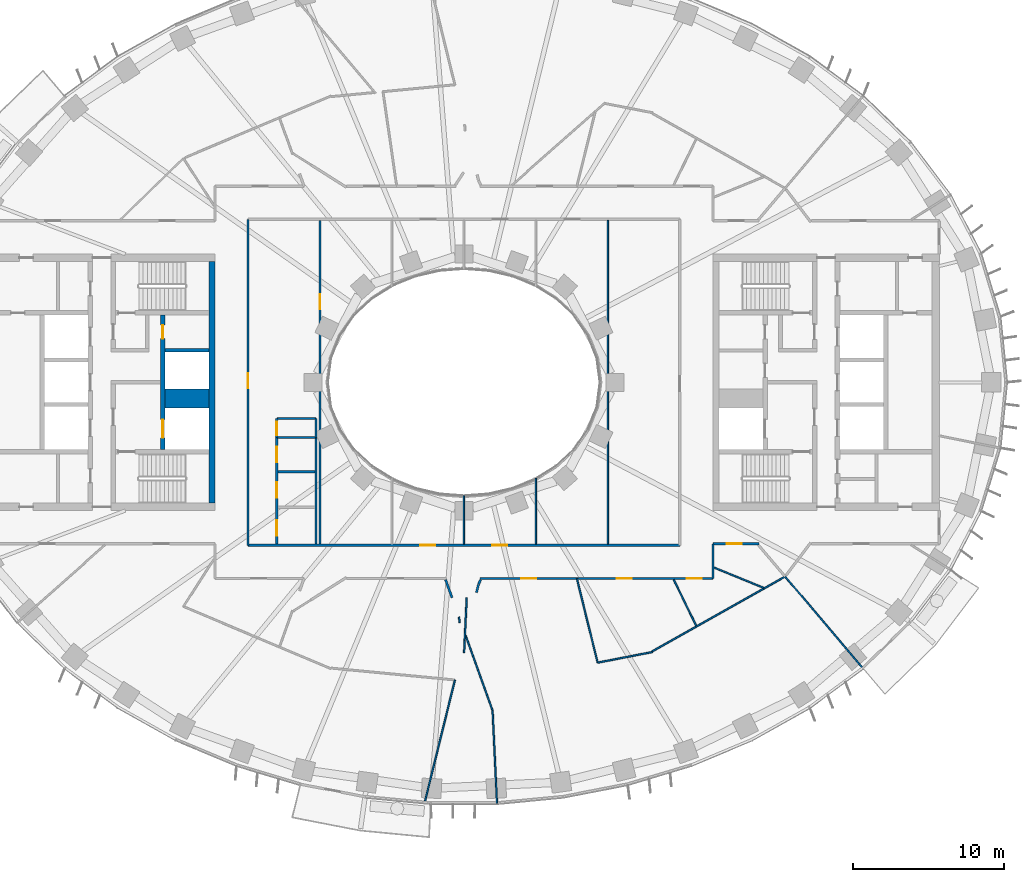
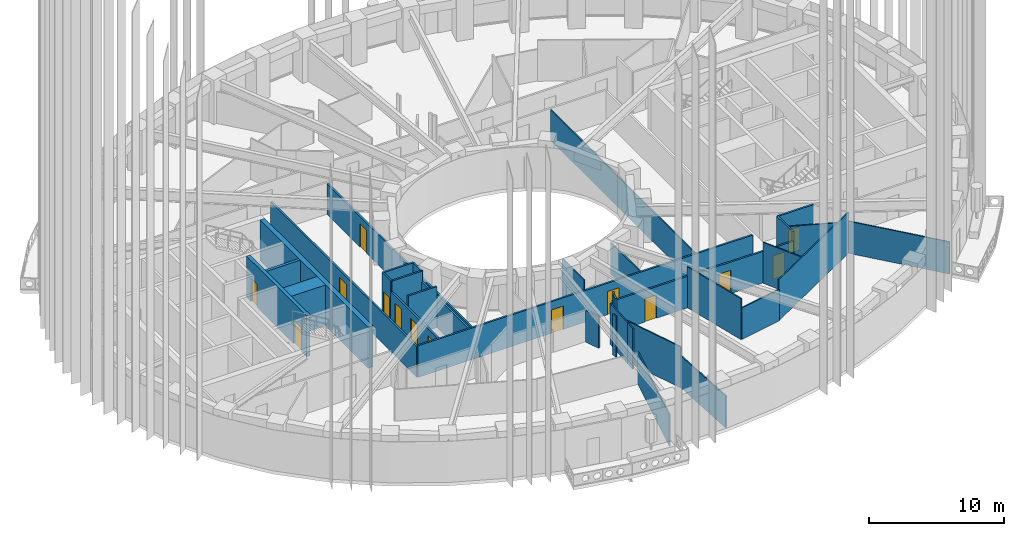
# One storey, part 4 of 20: 36 walls, 14 doors, 14 openings.
"""IFC4 building model written with IfcOpenShell, lengths in metres."""

from ifc_helpers import new_model, si_unit, direction, frame, frame_2d, origin, place, context, subcontext, project, spatial, rectangle, extrude, material, layer, layer_set, type_object, element, fill, save


model = new_model("IFC4")

# Units and contexts
model_context = context("Model", 3, precision=1e-05, world=origin(), true_north=direction((0.0, 1.0)))
body_context = subcontext(model_context, "Body", "Model", "MODEL_VIEW")
ifc_project = project(units=[si_unit("LENGTHUNIT", "METRE"), si_unit("AREAUNIT", "SQUARE_METRE"), si_unit("VOLUMEUNIT", "CUBIC_METRE"), si_unit("PLANEANGLEUNIT", "RADIAN"), si_unit("MASSUNIT", "GRAM", prefix="KILO")], contexts=[model_context])

# Site, building, storey
site_placement = place(None, origin())
site = spatial("IfcSite", under=ifc_project, at=site_placement, CompositionType="ELEMENT")
building_placement = place(site_placement, origin())
building = spatial("IfcBuilding", under=site, at=building_placement, Name="Noorbagh Ring Tower", CompositionType="ELEMENT")
storey_placement = place(building_placement, frame((0.0, 0.0, 88.0)))
storey = spatial("IfcBuildingStorey", under=building, at=storey_placement, Name="L19", CompositionType="ELEMENT", Elevation=88.0)

# Wall, opening, door
ifc_material_1 = material(Name="Gypsum board on steel studs", Category="steel")
ifc_layer_1 = layer(ifc_material_1, 0.14990234375)
ifc_layer_set_1 = layer_set([ifc_layer_1], Name="Gypsum board on steel studs")
wall_type_1 = type_object("IfcWallType", Name="COMPARTMENT PARTITION 150 EI 60", PredefinedType="PARTITIONING", material=ifc_layer_set_1)
wall_1_placement = place(storey_placement, frame((-12.39990234375, -3.659912109375, 0.0), z_axis=(0.0, 0.0, 1.0), x_axis=(0.0, 1.0, 0.0)))
wall_1 = element("IfcWall", 1, at=wall_1_placement, inside=storey, type_object=wall_type_1, Name="L19/wall/P22", PredefinedType="PARTITIONING", context=body_context, shape_type="SweptSolid", body=[
    extrude(rectangle(XDim=1.260009765625, YDim=0.14990234375, at=frame_2d((0.6298828125, 0.0))), origin(), (0.0, 0.0, 1.0), 3.699951171875),
])
opening_1_placement = place(wall_1_placement, frame((0.14990234375, 0.0, 0.0)))
opening_1 = element("IfcOpeningElement", 2, at=opening_1_placement, cuts=wall_1, Name="Opening D4", PredefinedType="OPENING", context=body_context, shape_type="SweptSolid", body=[
    extrude(rectangle(XDim=0.89990234375, YDim=2.10009765625, at=frame_2d((0.449951171875, 1.050048828125))), frame((0.0, 0.0849609375, 0.0), z_axis=(0.0, -1.0, 0.0), x_axis=(1.0, 0.0, 0.0)), (0.0, 0.0, 1.0), 0.169921875),
])
ifc_material_2 = material(Name="Timber, painted", Category="wood")
door_type_1 = type_object("IfcDoorType", Name="DOOR 900 X 2100 FD60", OperationType="SINGLE_SWING_LEFT", PredefinedType="DOOR", material=ifc_material_2)
door_1_placement = place(opening_1_placement, origin())
door_1 = element("IfcDoor", 3, at=door_1_placement, inside=storey, type_object=door_type_1, Name="L19-D05", OperationType="SINGLE_SWING_LEFT", OverallHeight=2.10009765625, OverallWidth=0.89990234375, PredefinedType="DOOR", context=body_context, shape_type="SweptSolid", body=[
    extrude(rectangle(XDim=0.89990234375, YDim=2.10009765625, at=frame_2d((0.449951171875, 1.050048828125))), frame((0.0, 0.02490234375, 0.0), z_axis=(0.0, -1.0, 0.0), x_axis=(1.0, 0.0, 0.0)), (0.0, 0.0, 1.0), 0.050048828125),
])
fill(opening_1, door_1)

# Walls
wall_2_placement = place(storey_placement, frame((-12.39990234375, -3.659912109375, 0.0), z_axis=(0.0, 0.0, 1.0), x_axis=(1.0, 0.0, 0.0)))
element("IfcWall", 4, at=wall_2_placement, inside=storey, type_object=wall_type_1, Name="L19/wall/P23", PredefinedType="PARTITIONING", context=body_context, shape_type="SweptSolid", body=[
    extrude(rectangle(XDim=2.599853515625, YDim=0.14990234375, at=frame_2d((1.2998046875, 0.0))), origin(), (0.0, 0.0, 1.0), 3.699951171875),
])
wall_3_placement = place(storey_placement, frame((-12.39990234375, -2.39990234375, 0.0), z_axis=(0.0, 0.0, 1.0), x_axis=(1.0, 0.0, 0.0)))
element("IfcWall", 5, at=wall_3_placement, inside=storey, type_object=wall_type_1, Name="L19/wall/P24", PredefinedType="PARTITIONING", context=body_context, shape_type="SweptSolid", body=[
    extrude(rectangle(XDim=2.595947265625, YDim=0.14990234375, at=frame_2d((1.2978515625, 0.0))), origin(), (0.0, 0.0, 1.0), 3.699951171875),
])
wall_4_placement = place(storey_placement, frame((-9.800048828125, -3.659912109375, 0.0), z_axis=(0.0, 0.0, 1.0), x_axis=(0.0, 1.0, 0.0)))
element("IfcWall", 6, at=wall_4_placement, inside=storey, type_object=wall_type_1, Name="L19/wall/P35", PredefinedType="PARTITIONING", context=body_context, shape_type="SweptSolid", body=[
    extrude(rectangle(XDim=1.255859375, YDim=0.14990234375, at=frame_2d((0.6279296875, 0.0))), origin(), (0.0, 0.0, 1.0), 3.699951171875),
])
ifc_material_3 = material(Name="Concrete C70/85", Category="concrete")
ifc_layer_2 = layer(ifc_material_3, 1.25)
ifc_layer_set_2 = layer_set([ifc_layer_2], Name="Concrete C70/85")
wall_type_2 = type_object("IfcWallType", Name="CORE-WALL-1250-C70-85-EI120", PredefinedType="SHEAR", material=ifc_layer_set_2)
wall_5_placement = place(storey_placement, frame((-16.89990234375, -1.074951171875, 0.0), z_axis=(0.0, 0.0, 1.0), x_axis=(-1.0, 0.0, 0.0)))
element("IfcWall", 7, at=wall_5_placement, inside=storey, type_object=wall_type_2, Name="Core wall W", PredefinedType="SHEAR", context=body_context, shape_type="SweptSolid", body=[
    extrude(rectangle(XDim=2.900146484375, YDim=1.25, at=frame_2d((1.4501953125, 0.0))), origin(), (0.0, 0.0, 1.0), 3.699951171875),
])
ifc_material_4 = material(Name="Concrete C70/85", Category="concrete")
ifc_layer_3 = layer(ifc_material_4, 0.25)
ifc_layer_set_3 = layer_set([ifc_layer_3], Name="Concrete C70/85")
wall_type_3 = type_object("IfcWallType", Name="CORE-WALL-250-C70-85-EI120", PredefinedType="SHEAR", material=ifc_layer_set_3)
wall_6_placement = place(storey_placement, frame((-16.89990234375, 2.125, 0.0), z_axis=(0.0, 0.0, 1.0), x_axis=(-1.0, 0.0, 0.0)))
element("IfcWall", 8, at=wall_6_placement, inside=storey, type_object=wall_type_3, Name="Core wall W", PredefinedType="SHEAR", context=body_context, shape_type="SweptSolid", body=[
    extrude(rectangle(XDim=2.900146484375, YDim=0.25, at=frame_2d((1.4501953125, 0.0))), origin(), (0.0, 0.0, 1.0), 3.699951171875),
])

# Wall, openings, doors
ifc_material_5 = material(Name="Concrete C70/85", Category="concrete")
ifc_layer_4 = layer(ifc_material_5, 0.300048828125)
ifc_layer_set_4 = layer_set([ifc_layer_4], Name="Concrete C70/85")
wall_type_4 = type_object("IfcWallType", Name="CORE-WALL-300-C70-85-EI120", PredefinedType="SHEAR", material=ifc_layer_set_4)
wall_7_placement = place(storey_placement, frame((-19.949951171875, -4.449951171875, 0.0), z_axis=(0.0, 0.0, 1.0), x_axis=(0.0, 1.0, 0.0)))
wall_7 = element("IfcWall", 9, at=wall_7_placement, inside=storey, type_object=wall_type_4, Name="Core wall W", PredefinedType="SHEAR", context=body_context, shape_type="SweptSolid", body=[
    extrude(rectangle(XDim=8.89990234375, YDim=0.300048828125, at=frame_2d((4.449951171875, 0.0))), origin(), (0.0, 0.0, 1.0), 3.699951171875),
])
opening_2_placement = place(wall_7_placement, frame((0.77490234375, 0.0, 0.0)))
opening_2 = element("IfcOpeningElement", 10, at=opening_2_placement, cuts=wall_7, Name="Opening L19-CW01", PredefinedType="OPENING", context=body_context, shape_type="SweptSolid", body=[
    extrude(rectangle(XDim=1.199951171875, YDim=2.10009765625, at=frame_2d((0.60009765625, 1.050048828125))), frame((0.0, 0.16015625, 0.0), z_axis=(0.0, -1.0, 0.0), x_axis=(1.0, 0.0, 0.0)), (0.0, 0.0, 1.0), 0.320068359375),
])
opening_3_placement = place(wall_7_placement, frame((7.35009765625, 0.0, 0.0)))
opening_3 = element("IfcOpeningElement", 11, at=opening_3_placement, cuts=wall_7, Name="Opening L19-CW11", PredefinedType="OPENING", context=body_context, shape_type="SweptSolid", body=[
    extrude(rectangle(XDim=0.89990234375, YDim=2.10009765625, at=frame_2d((0.449951171875, 1.050048828125))), frame((0.0, 0.16015625, 0.0), z_axis=(0.0, -1.0, 0.0), x_axis=(1.0, 0.0, 0.0)), (0.0, 0.0, 1.0), 0.320068359375),
])
ifc_material_6 = material(Name="Steel door leaf", Category="steel")
door_type_2 = type_object("IfcDoorType", Name="CORE-DOOR-DROOM", OperationType="SINGLE_SWING_LEFT", PredefinedType="DOOR", material=ifc_material_6)
door_2_placement = place(opening_3_placement, origin())
door_2 = element("IfcDoor", 12, at=door_2_placement, inside=storey, type_object=door_type_2, Name="Core room door L19-CW11", OperationType="SINGLE_SWING_LEFT", OverallHeight=2.10009765625, OverallWidth=0.89990234375, PredefinedType="DOOR", context=body_context, shape_type="SweptSolid", body=[
    extrude(rectangle(XDim=0.89990234375, YDim=2.10009765625, at=frame_2d((0.449951171875, 1.050048828125))), frame((0.0, 0.02490234375, 0.0), z_axis=(0.0, -1.0, 0.0), x_axis=(1.0, 0.0, 0.0)), (0.0, 0.0, 1.0), 0.050048828125),
])
fill(opening_3, door_2)
ifc_material_7 = material(Name="Steel door leaf", Category="steel")
door_type_3 = type_object("IfcDoorType", Name="CORE-DOOR-LDW", OperationType="DOUBLE_DOOR_SLIDING", PredefinedType="DOOR", material=ifc_material_7)
door_3_placement = place(opening_2_placement, origin())
door_3 = element("IfcDoor", 13, at=door_3_placement, inside=storey, type_object=door_type_3, Name="Landing door FF1 L19-CW01", OperationType="DOUBLE_DOOR_SLIDING", OverallHeight=2.10009765625, OverallWidth=1.199951171875, PredefinedType="DOOR", context=body_context, shape_type="SweptSolid", body=[
    extrude(rectangle(XDim=1.199951171875, YDim=2.10009765625, at=frame_2d((0.60009765625, 1.050048828125))), frame((0.0, 0.02490234375, 0.0), z_axis=(0.0, -1.0, 0.0), x_axis=(1.0, 0.0, 0.0)), (0.0, 0.0, 1.0), 0.050048828125),
])
fill(opening_2, door_3)

# Wall
ifc_material_8 = material(Name="Concrete C70/85", Category="concrete")
ifc_layer_5 = layer(ifc_material_8, 0.39990234375)
ifc_layer_set_5 = layer_set([ifc_layer_5], Name="Concrete C70/85")
wall_type_5 = type_object("IfcWallType", Name="CORE-WALL-400-C70-85-EI240", PredefinedType="SHEAR", material=ifc_layer_set_5)
wall_8_placement = place(storey_placement, frame((-16.699951171875, -8.0, 0.0), z_axis=(0.0, 0.0, 1.0), x_axis=(0.0, 1.0, 0.0)))
element("IfcWall", 14, at=wall_8_placement, inside=storey, type_object=wall_type_5, Name="Core wall W", PredefinedType="SHEAR", context=body_context, shape_type="SweptSolid", body=[
    extrude(rectangle(XDim=16.0, YDim=0.39990234375, at=frame_2d((8.0, 0.0))), origin(), (0.0, 0.0, 1.0), 3.699951171875),
])

# Wall, opening, door
ifc_material_9 = material(Name="Gypsum board on steel studs", Category="steel")
ifc_layer_6 = layer(ifc_material_9, 0.14990234375)
ifc_layer_set_6 = layer_set([ifc_layer_6], Name="Gypsum board on steel studs")
wall_type_6 = type_object("IfcWallType", Name="CORRIDOR PARTITION 150 EI 30", PredefinedType="PARTITIONING", material=ifc_layer_set_6)
wall_9_placement = place(storey_placement, frame((-14.300048828125, -10.800048828125, 0.0), z_axis=(0.0, 0.0, 1.0), x_axis=(0.0, 1.0, 0.0)))
wall_9 = element("IfcWall", 15, at=wall_9_placement, inside=storey, type_object=wall_type_6, Name="L19/wall/P16", PredefinedType="PARTITIONING", context=body_context, shape_type="SweptSolid", body=[
    extrude(rectangle(XDim=21.60009765625, YDim=0.14990234375, at=frame_2d((10.800048828125, 0.0))), origin(), (0.0, 0.0, 1.0), 2.75),
])
opening_4_placement = place(wall_9_placement, frame((10.39990234375, 0.0, 0.0)))
opening_4 = element("IfcOpeningElement", 16, at=opening_4_placement, cuts=wall_9, Name="Opening D1", PredefinedType="OPENING", context=body_context, shape_type="SweptSolid", body=[
    extrude(rectangle(XDim=1.0, YDim=2.10009765625, at=frame_2d((0.5, 1.050048828125))), frame((0.0, 0.0849609375, 0.0), z_axis=(0.0, -1.0, 0.0), x_axis=(1.0, 0.0, 0.0)), (0.0, 0.0, 1.0), 0.169921875),
])
ifc_material_10 = material(Name="Timber, painted", Category="wood")
door_type_4 = type_object("IfcDoorType", Name="DOOR 1000 X 2100 FD30", OperationType="SINGLE_SWING_LEFT", PredefinedType="DOOR", material=ifc_material_10)
door_4_placement = place(opening_4_placement, origin())
door_4 = element("IfcDoor", 17, at=door_4_placement, inside=storey, type_object=door_type_4, Name="L19-D01", OperationType="SINGLE_SWING_LEFT", OverallHeight=2.10009765625, OverallWidth=1.0, PredefinedType="DOOR", context=body_context, shape_type="SweptSolid", body=[
    extrude(rectangle(XDim=1.0, YDim=2.10009765625, at=frame_2d((0.5, 1.050048828125))), frame((0.0, 0.02490234375, 0.0), z_axis=(0.0, -1.0, 0.0), x_axis=(1.0, 0.0, 0.0)), (0.0, 0.0, 1.0), 0.050048828125),
])
fill(opening_4, door_4)

# Wall, openings, doors
wall_10_placement = place(storey_placement, frame((-14.300048828125, -10.800048828125, 0.0), z_axis=(0.0, 0.0, 1.0), x_axis=(1.0, 0.0, 0.0)))
wall_10 = element("IfcWall", 18, at=wall_10_placement, inside=storey, type_object=wall_type_6, Name="L19/wall/P17", PredefinedType="PARTITIONING", context=body_context, shape_type="SweptSolid", body=[
    extrude(rectangle(XDim=28.60009765625, YDim=0.14990234375, at=frame_2d((14.300048828125, 0.0))), origin(), (0.0, 0.0, 1.0), 2.85009765625),
])
opening_5_placement = place(wall_10_placement, frame((11.39990234375, 0.0, 0.0)))
opening_5 = element("IfcOpeningElement", 19, at=opening_5_placement, cuts=wall_10, Name="Opening D1", PredefinedType="OPENING", context=body_context, shape_type="SweptSolid", body=[
    extrude(rectangle(XDim=1.0, YDim=2.10009765625, at=frame_2d((0.5, 1.050048828125))), frame((0.0, 0.0849609375, 0.0), z_axis=(0.0, -1.0, 0.0), x_axis=(1.0, 0.0, 0.0)), (0.0, 0.0, 1.0), 0.169921875),
])
opening_6_placement = place(wall_10_placement, frame((16.1669921875, 0.0, 0.0)))
opening_6 = element("IfcOpeningElement", 20, at=opening_6_placement, cuts=wall_10, Name="Opening D1", PredefinedType="OPENING", context=body_context, shape_type="SweptSolid", body=[
    extrude(rectangle(XDim=1.0, YDim=2.10009765625, at=frame_2d((0.5, 1.050048828125))), frame((0.0, 0.0849609375, 0.0), z_axis=(0.0, -1.0, 0.0), x_axis=(1.0, 0.0, 0.0)), (0.0, 0.0, 1.0), 0.169921875),
])
door_5_placement = place(opening_5_placement, origin())
door_5 = element("IfcDoor", 21, at=door_5_placement, inside=storey, type_object=door_type_4, Name="L19-D28", OperationType="SINGLE_SWING_RIGHT", OverallHeight=2.10009765625, OverallWidth=1.0, PredefinedType="DOOR", context=body_context, shape_type="SweptSolid", body=[
    extrude(rectangle(XDim=1.0, YDim=2.10009765625, at=frame_2d((0.5, 1.050048828125))), frame((0.0, 0.02490234375, 0.0), z_axis=(0.0, -1.0, 0.0), x_axis=(1.0, 0.0, 0.0)), (0.0, 0.0, 1.0), 0.050048828125),
])
fill(opening_5, door_5)
door_6_placement = place(opening_6_placement, origin())
door_6 = element("IfcDoor", 22, at=door_6_placement, inside=storey, type_object=door_type_4, Name="L19-D30", OperationType="SINGLE_SWING_RIGHT", OverallHeight=2.10009765625, OverallWidth=1.0, PredefinedType="DOOR", context=body_context, shape_type="SweptSolid", body=[
    extrude(rectangle(XDim=1.0, YDim=2.10009765625, at=frame_2d((0.5, 1.050048828125))), frame((0.0, 0.02490234375, 0.0), z_axis=(0.0, -1.0, 0.0), x_axis=(1.0, 0.0, 0.0)), (0.0, 0.0, 1.0), 0.050048828125),
])
fill(opening_6, door_6)

wall_11_placement = place(storey_placement, frame((-12.39990234375, -10.72509765625, 0.0), z_axis=(0.0, 0.0, 1.0), x_axis=(0.0, 1.0, 0.0)))
wall_11 = element("IfcWall", 23, at=wall_11_placement, inside=storey, type_object=wall_type_6, Name="L19/wall/P19", PredefinedType="PARTITIONING", context=body_context, shape_type="SweptSolid", body=[
    extrude(rectangle(XDim=7.065185546875, YDim=0.14990234375, at=frame_2d((3.53271484375, 0.0))), origin(), (0.0, 0.0, 1.0), 2.75),
])
opening_7_placement = place(wall_11_placement, frame((0.574951171875, 0.0, 0.0)))
opening_7 = element("IfcOpeningElement", 24, at=opening_7_placement, cuts=wall_11, Name="Opening D3", PredefinedType="OPENING", context=body_context, shape_type="SweptSolid", body=[
    extrude(rectangle(XDim=1.0, YDim=2.10009765625, at=frame_2d((0.5, 1.050048828125))), frame((0.0, 0.0849609375, 0.0), z_axis=(0.0, -1.0, 0.0), x_axis=(1.0, 0.0, 0.0)), (0.0, 0.0, 1.0), 0.169921875),
])
opening_8_placement = place(wall_11_placement, frame((3.094970703125, 0.0, 0.0)))
opening_8 = element("IfcOpeningElement", 25, at=opening_8_placement, cuts=wall_11, Name="Opening D3", PredefinedType="OPENING", context=body_context, shape_type="SweptSolid", body=[
    extrude(rectangle(XDim=1.0, YDim=2.10009765625, at=frame_2d((0.5, 1.050048828125))), frame((0.0, 0.0849609375, 0.0), z_axis=(0.0, -1.0, 0.0), x_axis=(1.0, 0.0, 0.0)), (0.0, 0.0, 1.0), 0.169921875),
])
opening_9_placement = place(wall_11_placement, frame((5.447021484375, 0.0, 0.0)))
opening_9 = element("IfcOpeningElement", 26, at=opening_9_placement, cuts=wall_11, Name="Opening D3", PredefinedType="OPENING", context=body_context, shape_type="SweptSolid", body=[
    extrude(rectangle(XDim=1.0, YDim=2.10009765625, at=frame_2d((0.5, 1.050048828125))), frame((0.0, 0.0849609375, 0.0), z_axis=(0.0, -1.0, 0.0), x_axis=(1.0, 0.0, 0.0)), (0.0, 0.0, 1.0), 0.169921875),
])
ifc_material_11 = material(Name="Timber, painted", Category="wood")
door_type_5 = type_object("IfcDoorType", Name="DOOR 1000 X 2100 WC", OperationType="SINGLE_SWING_LEFT", PredefinedType="DOOR", material=ifc_material_11)
door_7_placement = place(opening_7_placement, origin())
door_7 = element("IfcDoor", 27, at=door_7_placement, inside=storey, type_object=door_type_5, Name="L19-D02", OperationType="SINGLE_SWING_RIGHT", OverallHeight=2.10009765625, OverallWidth=1.0, PredefinedType="DOOR", context=body_context, shape_type="SweptSolid", body=[
    extrude(rectangle(XDim=1.0, YDim=2.10009765625, at=frame_2d((0.5, 1.050048828125))), frame((0.0, 0.02490234375, 0.0), z_axis=(0.0, -1.0, 0.0), x_axis=(1.0, 0.0, 0.0)), (0.0, 0.0, 1.0), 0.050048828125),
])
fill(opening_7, door_7)
door_8_placement = place(opening_8_placement, origin())
door_8 = element("IfcDoor", 28, at=door_8_placement, inside=storey, type_object=door_type_5, Name="L19-D03", OperationType="SINGLE_SWING_LEFT", OverallHeight=2.10009765625, OverallWidth=1.0, PredefinedType="DOOR", context=body_context, shape_type="SweptSolid", body=[
    extrude(rectangle(XDim=1.0, YDim=2.10009765625, at=frame_2d((0.5, 1.050048828125))), frame((0.0, 0.02490234375, 0.0), z_axis=(0.0, -1.0, 0.0), x_axis=(1.0, 0.0, 0.0)), (0.0, 0.0, 1.0), 0.050048828125),
])
fill(opening_8, door_8)
door_9_placement = place(opening_9_placement, origin())
door_9 = element("IfcDoor", 29, at=door_9_placement, inside=storey, type_object=door_type_5, Name="L19-D04", OperationType="SINGLE_SWING_RIGHT", OverallHeight=2.10009765625, OverallWidth=1.0, PredefinedType="DOOR", context=body_context, shape_type="SweptSolid", body=[
    extrude(rectangle(XDim=1.0, YDim=2.10009765625, at=frame_2d((0.5, 1.050048828125))), frame((0.0, 0.02490234375, 0.0), z_axis=(0.0, -1.0, 0.0), x_axis=(1.0, 0.0, 0.0)), (0.0, 0.0, 1.0), 0.050048828125),
])
fill(opening_9, door_9)

# Walls
wall_12_placement = place(storey_placement, frame((-12.324951171875, -5.927978515625, 0.0), z_axis=(0.0, 0.0, 1.0), x_axis=(1.0, 0.0, 0.0)))
element("IfcWall", 30, at=wall_12_placement, inside=storey, type_object=wall_type_6, Name="L19/wall/P21", PredefinedType="PARTITIONING", context=body_context, shape_type="SweptSolid", body=[
    extrude(rectangle(XDim=2.449951171875, YDim=0.14990234375, at=frame_2d((1.22509765625, 0.0))), origin(), (0.0, 0.0, 1.0), 3.699951171875),
])
wall_13_placement = place(storey_placement, frame((-9.800048828125, -10.72509765625, 0.0), z_axis=(0.0, 0.0, 1.0), x_axis=(0.0, 1.0, 0.0)))
element("IfcWall", 31, at=wall_13_placement, inside=storey, type_object=wall_type_6, Name="L19/wall/P34", PredefinedType="PARTITIONING", context=body_context, shape_type="SweptSolid", body=[
    extrude(rectangle(XDim=7.065185546875, YDim=0.14990234375, at=frame_2d((3.53271484375, 0.0))), origin(), (0.0, 0.0, 1.0), 2.75),
])

# Wall, opening, door
wall_14_placement = place(storey_placement, frame((-9.532958984375, -10.72509765625, 0.0), z_axis=(0.0, 0.0, 1.0), x_axis=(0.0, 1.0, 0.0)))
wall_14 = element("IfcWall", 32, at=wall_14_placement, inside=storey, type_object=wall_type_6, Name="L19/wall/P36", PredefinedType="PARTITIONING", context=body_context, shape_type="SweptSolid", body=[
    extrude(rectangle(XDim=21.4501953125, YDim=0.14990234375, at=frame_2d((10.72509765625, 0.0))), origin(), (0.0, 0.0, 1.0), 2.75),
])
opening_10_placement = place(wall_14_placement, frame((15.574951171875, 0.0, 0.0)))
opening_10 = element("IfcOpeningElement", 33, at=opening_10_placement, cuts=wall_14, Name="Opening D1", PredefinedType="OPENING", context=body_context, shape_type="SweptSolid", body=[
    extrude(rectangle(XDim=1.0, YDim=2.10009765625, at=frame_2d((0.5, 1.050048828125))), frame((0.0, 0.0849609375, 0.0), z_axis=(0.0, -1.0, 0.0), x_axis=(1.0, 0.0, 0.0)), (0.0, 0.0, 1.0), 0.169921875),
])
door_10_placement = place(opening_10_placement, origin())
door_10 = element("IfcDoor", 34, at=door_10_placement, inside=storey, type_object=door_type_4, Name="L19-D27", OperationType="SINGLE_SWING_RIGHT", OverallHeight=2.10009765625, OverallWidth=1.0, PredefinedType="DOOR", context=body_context, shape_type="SweptSolid", body=[
    extrude(rectangle(XDim=1.0, YDim=2.10009765625, at=frame_2d((0.5, 1.050048828125))), frame((0.0, 0.02490234375, 0.0), z_axis=(0.0, -1.0, 0.0), x_axis=(1.0, 0.0, 0.0)), (0.0, 0.0, 1.0), 0.050048828125),
])
fill(opening_10, door_10)

# Walls
wall_15_placement = place(storey_placement, frame((-1.217041015625, -13.0791015625, 0.0), z_axis=(0.0, 0.0, 1.0), x_axis=(0.338140136535, -0.941095769868, 0.0)))
element("IfcWall", 35, at=wall_15_placement, inside=storey, type_object=wall_type_6, Name="L19/wall/P48", PredefinedType="PARTITIONING", context=body_context, shape_type="SweptSolid", body=[
    extrude(rectangle(XDim=1.2685546875, YDim=0.14990234375, at=frame_2d((0.63427734375, 0.0))), origin(), (0.0, 0.0, 1.0), 2.85009765625),
])
wall_16_placement = place(storey_placement, frame((0.8310546875, -13.927001953125, 0.0), z_axis=(0.0, 0.0, 1.0), x_axis=(0.240473799965, 0.970655629732, 0.0)))
element("IfcWall", 36, at=wall_16_placement, inside=storey, type_object=wall_type_6, Name="L19/wall/P57", PredefinedType="PARTITIONING", context=body_context, shape_type="SweptSolid", body=[
    extrude(rectangle(XDim=0.557373046875, YDim=0.14990234375, at=frame_2d((0.27880859375, 0.0))), origin(), (0.0, 0.0, 1.0), 3.699951171875),
])
wall_17_placement = place(storey_placement, frame((0.968994140625, -13.368896484375, 0.0), z_axis=(0.0, 0.0, 1.0), x_axis=(0.440240923942, 0.897879685084, 0.0)))
element("IfcWall", 37, at=wall_17_placement, inside=storey, type_object=wall_type_6, Name="L19/wall/P59", PredefinedType="PARTITIONING", context=body_context, shape_type="SweptSolid", body=[
    extrude(rectangle(XDim=0.32275390625, YDim=0.14990234375, at=frame_2d((0.161376953125, 0.0))), origin(), (0.0, 0.0, 1.0), 3.699951171875),
])

# Wall, opening, door
wall_18_placement = place(storey_placement, frame((1.06103515625, -13.0, 0.0), z_axis=(0.0, 0.0, 1.0), x_axis=(1.0, 0.0, 0.0)))
wall_18 = element("IfcWall", 38, at=wall_18_placement, inside=storey, type_object=wall_type_6, Name="L19/wall/P61", PredefinedType="PARTITIONING", context=body_context, shape_type="SweptSolid", body=[
    extrude(rectangle(XDim=6.421875, YDim=0.14990234375, at=frame_2d((3.2109375, 0.0))), origin(), (0.0, 0.0, 1.0), 2.85009765625),
])
opening_11_placement = place(wall_18_placement, frame((2.72998046875, 0.0, 0.0)))
opening_11 = element("IfcOpeningElement", 39, at=opening_11_placement, cuts=wall_18, Name="Opening D1", PredefinedType="OPENING", context=body_context, shape_type="SweptSolid", body=[
    extrude(rectangle(XDim=1.0, YDim=2.10009765625, at=frame_2d((0.5, 1.050048828125))), frame((0.0, 0.0849609375, 0.0), z_axis=(0.0, -1.0, 0.0), x_axis=(1.0, 0.0, 0.0)), (0.0, 0.0, 1.0), 0.169921875),
])
door_11_placement = place(opening_11_placement, origin())
door_11 = element("IfcDoor", 40, at=door_11_placement, inside=storey, type_object=door_type_4, Name="L19-D15", OperationType="SINGLE_SWING_LEFT", OverallHeight=2.10009765625, OverallWidth=1.0, PredefinedType="DOOR", context=body_context, shape_type="SweptSolid", body=[
    extrude(rectangle(XDim=1.0, YDim=2.10009765625, at=frame_2d((0.5, 1.050048828125))), frame((0.0, 0.02490234375, 0.0), z_axis=(0.0, -1.0, 0.0), x_axis=(1.0, 0.0, 0.0)), (0.0, 0.0, 1.0), 0.050048828125),
])
fill(opening_11, door_11)

# Wall, openings, doors
wall_19_placement = place(storey_placement, frame((7.4990234375, -13.0, 0.0), z_axis=(0.0, 0.0, 1.0), x_axis=(1.0, 0.0, 0.0)))
wall_19 = element("IfcWall", 41, at=wall_19_placement, inside=storey, type_object=wall_type_6, Name="L19/wall/P69", PredefinedType="PARTITIONING", context=body_context, shape_type="SweptSolid", body=[
    extrude(rectangle(XDim=9.0009765625, YDim=0.14990234375, at=frame_2d((4.50048828125, 0.0))), origin(), (0.0, 0.0, 1.0), 2.85009765625),
])
opening_12_placement = place(wall_19_placement, frame((2.634033203125, 0.0, 0.0)))
opening_12 = element("IfcOpeningElement", 42, at=opening_12_placement, cuts=wall_19, Name="Opening D1", PredefinedType="OPENING", context=body_context, shape_type="SweptSolid", body=[
    extrude(rectangle(XDim=1.0, YDim=2.10009765625, at=frame_2d((0.5, 1.050048828125))), frame((0.0, 0.0849609375, 0.0), z_axis=(0.0, -1.0, 0.0), x_axis=(1.0, 0.0, 0.0)), (0.0, 0.0, 1.0), 0.169921875),
])
opening_13_placement = place(wall_19_placement, frame((7.262939453125, 0.0, 0.0)))
opening_13 = element("IfcOpeningElement", 43, at=opening_13_placement, cuts=wall_19, Name="Opening D1", PredefinedType="OPENING", context=body_context, shape_type="SweptSolid", body=[
    extrude(rectangle(XDim=1.0, YDim=2.10009765625, at=frame_2d((0.5, 1.050048828125))), frame((0.0, 0.0849609375, 0.0), z_axis=(0.0, -1.0, 0.0), x_axis=(1.0, 0.0, 0.0)), (0.0, 0.0, 1.0), 0.169921875),
])
door_12_placement = place(opening_12_placement, origin())
door_12 = element("IfcDoor", 44, at=door_12_placement, inside=storey, type_object=door_type_4, Name="L19-D17", OperationType="SINGLE_SWING_LEFT", OverallHeight=2.10009765625, OverallWidth=1.0, PredefinedType="DOOR", context=body_context, shape_type="SweptSolid", body=[
    extrude(rectangle(XDim=1.0, YDim=2.10009765625, at=frame_2d((0.5, 1.050048828125))), frame((0.0, 0.02490234375, 0.0), z_axis=(0.0, -1.0, 0.0), x_axis=(1.0, 0.0, 0.0)), (0.0, 0.0, 1.0), 0.050048828125),
])
fill(opening_12, door_12)
door_13_placement = place(opening_13_placement, origin())
door_13 = element("IfcDoor", 45, at=door_13_placement, inside=storey, type_object=door_type_4, Name="L19-D19", OperationType="SINGLE_SWING_LEFT", OverallHeight=2.10009765625, OverallWidth=1.0, PredefinedType="DOOR", context=body_context, shape_type="SweptSolid", body=[
    extrude(rectangle(XDim=1.0, YDim=2.10009765625, at=frame_2d((0.5, 1.050048828125))), frame((0.0, 0.02490234375, 0.0), z_axis=(0.0, -1.0, 0.0), x_axis=(1.0, 0.0, 0.0)), (0.0, 0.0, 1.0), 0.050048828125),
])
fill(opening_13, door_13)

# Wall
wall_20_placement = place(storey_placement, frame((16.5, -13.0, 0.0), z_axis=(0.0, 0.0, 1.0), x_axis=(0.0, 1.0, 0.0)))
element("IfcWall", 46, at=wall_20_placement, inside=storey, type_object=wall_type_6, Name="L19/wall/P79", PredefinedType="PARTITIONING", context=body_context, shape_type="SweptSolid", body=[
    extrude(rectangle(XDim=2.300048828125, YDim=0.14990234375, at=frame_2d((1.14990234375, 0.0))), origin(), (0.0, 0.0, 1.0), 3.699951171875),
])

# Wall, opening, door
wall_21_placement = place(storey_placement, frame((16.5, -10.699951171875, 0.0), z_axis=(0.0, 0.0, 1.0), x_axis=(1.0, 0.0, 0.0)))
wall_21 = element("IfcWall", 47, at=wall_21_placement, inside=storey, type_object=wall_type_6, Name="L19/wall/P80", PredefinedType="PARTITIONING", context=body_context, shape_type="SweptSolid", body=[
    extrude(rectangle(XDim=3.04296875, YDim=0.14990234375, at=frame_2d((1.521484375, 0.0))), origin(), (0.0, 0.0, 1.0), 3.699951171875),
])
opening_14_placement = place(wall_21_placement, frame((0.89990234375, 0.0, 0.0)))
opening_14 = element("IfcOpeningElement", 48, at=opening_14_placement, cuts=wall_21, Name="Opening D1", PredefinedType="OPENING", context=body_context, shape_type="SweptSolid", body=[
    extrude(rectangle(XDim=1.0, YDim=2.10009765625, at=frame_2d((0.5, 1.050048828125))), frame((0.0, 0.0849609375, 0.0), z_axis=(0.0, -1.0, 0.0), x_axis=(1.0, 0.0, 0.0)), (0.0, 0.0, 1.0), 0.169921875),
])
door_14_placement = place(opening_14_placement, origin())
door_14 = element("IfcDoor", 49, at=door_14_placement, inside=storey, type_object=door_type_4, Name="L19-D21", OperationType="SINGLE_SWING_LEFT", OverallHeight=2.10009765625, OverallWidth=1.0, PredefinedType="DOOR", context=body_context, shape_type="SweptSolid", body=[
    extrude(rectangle(XDim=1.0, YDim=2.10009765625, at=frame_2d((0.5, 1.050048828125))), frame((0.0, 0.02490234375, 0.0), z_axis=(0.0, -1.0, 0.0), x_axis=(1.0, 0.0, 0.0)), (0.0, 0.0, 1.0), 0.050048828125),
])
fill(opening_14, door_14)

# Walls
ifc_material_12 = material(Name="Gypsum board on steel studs", Category="steel")
ifc_layer_7 = layer(ifc_material_12, 0.10009765625)
ifc_layer_set_7 = layer_set([ifc_layer_7], Name="Gypsum board on steel studs")
wall_type_7 = type_object("IfcWallType", Name="PARTITION 100 GYPSUM", PredefinedType="PARTITIONING", material=ifc_layer_set_7)
wall_22_placement = place(storey_placement, frame((-2.60888671875, -27.85791015625, 0.0), z_axis=(0.0, 0.0, 1.0), x_axis=(0.239677840558, 0.970852477334, 0.0)))
element("IfcWall", 50, at=wall_22_placement, inside=storey, type_object=wall_type_7, Name="L19/wall/P46", PredefinedType="PARTITIONING", context=body_context, shape_type="SweptSolid", body=[
    extrude(rectangle(XDim=8.38525390625, YDim=0.10009765625, at=frame_2d((4.192626953125, 0.0))), origin(), (0.0, 0.0, 1.0), 2.85009765625),
])
wall_23_placement = place(storey_placement, frame((-0.33203125, -15.548095703125, 0.0), z_axis=(0.0, 0.0, 1.0), x_axis=(0.143604317757, -0.989635185269, 0.0)))
element("IfcWall", 51, at=wall_23_placement, inside=storey, type_object=wall_type_7, Name="L19/wall/P50", PredefinedType="PARTITIONING", context=body_context, shape_type="SweptSolid", body=[
    extrude(rectangle(XDim=0.375732421875, YDim=0.10009765625, at=frame_2d((0.18798828125, 0.0))), origin(), (0.0, 0.0, 1.0), 3.699951171875),
])
wall_24_placement = place(storey_placement, frame((0.0, -10.72509765625, 0.0), z_axis=(0.0, 0.0, 1.0), x_axis=(0.0, 1.0, 0.0)))
element("IfcWall", 52, at=wall_24_placement, inside=storey, type_object=wall_type_7, Name="L19/wall/P51", PredefinedType="PARTITIONING", context=body_context, shape_type="SweptSolid", body=[
    extrude(rectangle(XDim=3.22119140625, YDim=0.10009765625, at=frame_2d((1.610595703125, 0.0))), origin(), (0.0, 0.0, 1.0), 3.699951171875),
])
wall_25_placement = place(storey_placement, frame((0.010986328125, -17.904052734375, 0.0), z_axis=(0.0, 0.0, 1.0), x_axis=(0.046221474857, 0.998931216482, 0.0)))
element("IfcWall", 53, at=wall_25_placement, inside=storey, type_object=wall_type_7, Name="L19/wall/P53", PredefinedType="PARTITIONING", context=body_context, shape_type="SweptSolid", body=[
    extrude(rectangle(XDim=0.802978515625, YDim=0.10009765625, at=frame_2d((0.4013671875, 0.0))), origin(), (0.0, 0.0, 1.0), 3.699951171875),
])
wall_26_placement = place(storey_placement, frame((0.049072265625, -17.0869140625, 0.0), z_axis=(0.0, 0.0, 1.0), x_axis=(0.047688063475, 0.998862277094, 0.0)))
element("IfcWall", 54, at=wall_26_placement, inside=storey, type_object=wall_type_7, Name="L19/wall/P54", PredefinedType="PARTITIONING", context=body_context, shape_type="SweptSolid", body=[
    extrude(rectangle(XDim=2.8310546875, YDim=0.10009765625, at=frame_2d((1.41552734375, 0.0))), origin(), (0.0, 0.0, 1.0), 3.699951171875),
])
wall_27_placement = place(storey_placement, frame((0.113037109375, -16.781982421875, 0.0), z_axis=(0.0, 0.0, 1.0), x_axis=(0.338468220543, -0.940977823162, 0.0)))
element("IfcWall", 55, at=wall_27_placement, inside=storey, type_object=wall_type_7, Name="L19/wall/P56", PredefinedType="PARTITIONING", context=body_context, shape_type="SweptSolid", body=[
    extrude(rectangle(XDim=5.264892578125, YDim=0.10009765625, at=frame_2d((2.63232421875, 0.0))), origin(), (0.0, 0.0, 1.0), 3.699951171875),
])
wall_28_placement = place(storey_placement, frame((1.89794921875, -21.75, 0.0), z_axis=(0.0, 0.0, 1.0), x_axis=(0.047440765919, -0.998874052986, 0.0)))
element("IfcWall", 56, at=wall_28_placement, inside=storey, type_object=wall_type_7, Name="L19/wall/P63", PredefinedType="PARTITIONING", context=body_context, shape_type="SweptSolid", body=[
    extrude(rectangle(XDim=6.15478515625, YDim=0.10009765625, at=frame_2d((3.077392578125, 0.0))), origin(), (0.0, 0.0, 1.0), 2.89990234375),
])
wall_29_placement = place(storey_placement, frame((4.76708984375, -10.72509765625, 0.0), z_axis=(0.0, 0.0, 1.0), x_axis=(0.0, 1.0, 0.0)))
element("IfcWall", 57, at=wall_29_placement, inside=storey, type_object=wall_type_7, Name="L19/wall/P65", PredefinedType="PARTITIONING", context=body_context, shape_type="SweptSolid", body=[
    extrude(rectangle(XDim=4.362060546875, YDim=0.10009765625, at=frame_2d((2.18115234375, 0.0))), origin(), (0.0, 0.0, 1.0), 2.85009765625),
])
wall_30_placement = place(storey_placement, frame((7.48291015625, -13.0, 0.0), z_axis=(0.0, 0.0, 1.0), x_axis=(0.239702552944, -0.970846376165, 0.0)))
element("IfcWall", 58, at=wall_30_placement, inside=storey, type_object=wall_type_7, Name="L19/wall/P67", PredefinedType="PARTITIONING", context=body_context, shape_type="SweptSolid", body=[
    extrude(rectangle(XDim=5.740234375, YDim=0.10009765625, at=frame_2d((2.8701171875, 0.0))), origin(), (0.0, 0.0, 1.0), 3.699951171875),
])
wall_31_placement = place(storey_placement, frame((8.85888671875, -18.572998046875, 0.0), z_axis=(0.0, 0.0, 1.0), x_axis=(0.981554610727, 0.191181971328, 0.0)))
element("IfcWall", 59, at=wall_31_placement, inside=storey, type_object=wall_type_7, Name="L19/wall/P71", PredefinedType="PARTITIONING", context=body_context, shape_type="SweptSolid", body=[
    extrude(rectangle(XDim=3.703369140625, YDim=0.10009765625, at=frame_2d((1.8515625, 0.0))), origin(), (0.0, 0.0, 1.0), 2.85009765625),
])
wall_32_placement = place(storey_placement, frame((9.532958984375, -10.72509765625, 0.0), z_axis=(0.0, 0.0, 1.0), x_axis=(0.0, 1.0, 0.0)))
element("IfcWall", 60, at=wall_32_placement, inside=storey, type_object=wall_type_7, Name="L19/wall/P73", PredefinedType="PARTITIONING", context=body_context, shape_type="SweptSolid", body=[
    extrude(rectangle(XDim=21.4501953125, YDim=0.10009765625, at=frame_2d((10.72509765625, 0.0))), origin(), (0.0, 0.0, 1.0), 2.75),
])
wall_33_placement = place(storey_placement, frame((12.47802734375, -17.822021484375, 0.0), z_axis=(0.0, 0.0, 1.0), x_axis=(0.871366973315, 0.490631835306, 0.0)))
element("IfcWall", 61, at=wall_33_placement, inside=storey, type_object=wall_type_7, Name="L19/wall/P74", PredefinedType="PARTITIONING", context=body_context, shape_type="SweptSolid", body=[
    extrude(rectangle(XDim=10.101318359375, YDim=0.10009765625, at=frame_2d((5.05078125, 0.0))), origin(), (0.0, 0.0, 1.0), 3.699951171875),
])
wall_34_placement = place(storey_placement, frame((13.89892578125, -13.074951171875, 0.0), z_axis=(0.0, 0.0, 1.0), x_axis=(0.439170148288, -0.898403907412, 0.0)))
element("IfcWall", 62, at=wall_34_placement, inside=storey, type_object=wall_type_7, Name="L19/wall/P76", PredefinedType="PARTITIONING", context=body_context, shape_type="SweptSolid", body=[
    extrude(rectangle(XDim=3.39501953125, YDim=0.10009765625, at=frame_2d((1.697509765625, 0.0))), origin(), (0.0, 0.0, 1.0), 3.699951171875),
])
wall_35_placement = place(storey_placement, frame((16.5791015625, -12.27099609375, 0.0), z_axis=(0.0, 0.0, 1.0), x_axis=(0.925511782592, -0.378718814272, 0.0)))
element("IfcWall", 63, at=wall_35_placement, inside=storey, type_object=wall_type_7, Name="L19/wall/P83", PredefinedType="PARTITIONING", context=body_context, shape_type="SweptSolid", body=[
    extrude(rectangle(XDim=3.53857421875, YDim=0.10009765625, at=frame_2d((1.769287109375, 0.0))), origin(), (0.0, 0.0, 1.0), 3.699951171875),
])
wall_36_placement = place(storey_placement, frame((21.279052734375, -12.864990234375, 0.0), z_axis=(0.0, 0.0, 1.0), x_axis=(0.646395355102, -0.763002650652, 0.0)))
element("IfcWall", 64, at=wall_36_placement, inside=storey, type_object=wall_type_7, Name="L19/wall/P88", PredefinedType="PARTITIONING", context=body_context, shape_type="SweptSolid", body=[
    extrude(rectangle(XDim=7.968505859375, YDim=0.10009765625, at=frame_2d((3.984375, 0.0))), origin(), (0.0, 0.0, 1.0), 2.89990234375),
])

save(model, "model.ifc")
